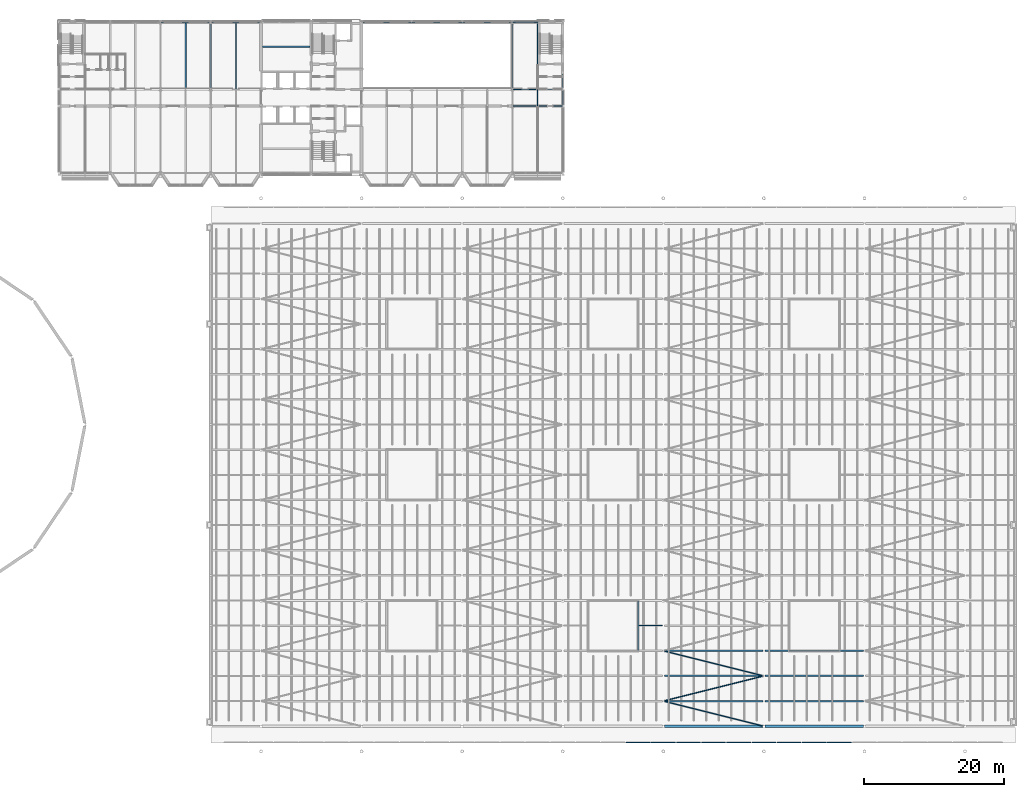
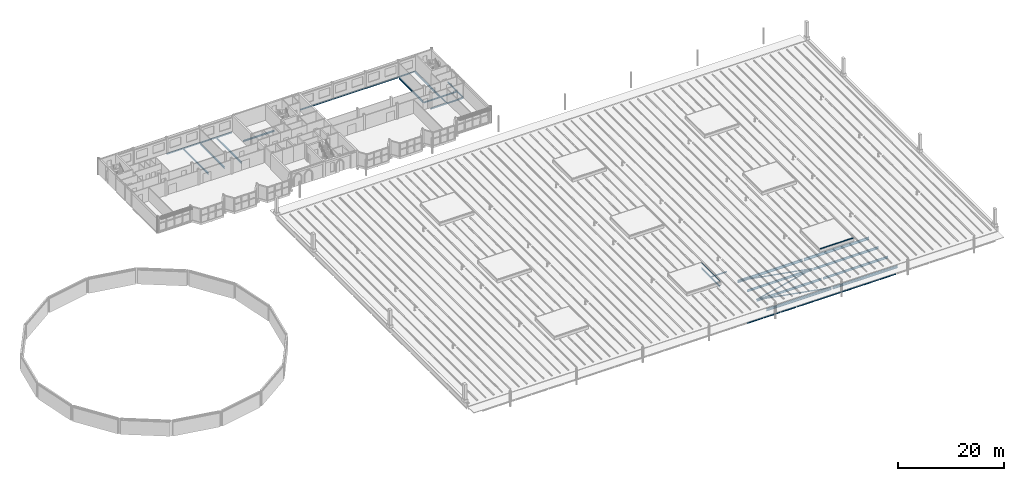
# One storey, part 39 of 120: 36 beams, 5 members.
"""IFC4 building model written with IfcOpenShell, lengths in metres."""

from ifc_helpers import new_model, si_unit, direction, frame, origin, origin_2d, place, context, subcontext, project, spatial, hollow_circle, i_section, extrude, material, material_profile, profile_set, type_object, element, save


model = new_model("IFC4")

# Units and contexts
model_context = context("Model", 3, precision=1e-05, world=origin(), true_north=direction((0.0, 1.0)))
body_context = subcontext(model_context, "Body", "Model", "MODEL_VIEW")
ifc_project = project(units=[si_unit("LENGTHUNIT", "METRE"), si_unit("AREAUNIT", "SQUARE_METRE"), si_unit("VOLUMEUNIT", "CUBIC_METRE"), si_unit("PLANEANGLEUNIT", "RADIAN"), si_unit("MASSUNIT", "GRAM", prefix="KILO")], contexts=[model_context])

# Site, building, storey
site_placement = place(None, origin())
site = spatial("IfcSite", under=ifc_project, at=site_placement, CompositionType="ELEMENT")
building_placement = place(site_placement, origin())
building = spatial("IfcBuilding", under=site, at=building_placement, Name="Kupolbacken Congress Centre", CompositionType="ELEMENT")
storey_placement = place(building_placement, frame((0.0, 0.0, 21.60009765625)))
storey = spatial("IfcBuildingStorey", under=building, at=storey_placement, Name="L06", CompositionType="ELEMENT", Elevation=21.60009765625)

# Beams
ifc_material_1 = material(Name="Steel S355", Category="steel")
ifc_material_profile_1 = material_profile(ifc_material_1, i_section(OverallWidth=0.10009765625, OverallDepth=0.199951171875, WebThickness=0.005615234375, FlangeThickness=0.008544921875, FilletRadius=0.011962890625, at=origin_2d()), Name="IPE 200")
ifc_profile_set_1 = profile_set([ifc_material_profile_1], Name="Steel S355")
beam_type_1 = type_object("IfcBeamType", Name="B01 beam IPE 200", PredefinedType="BEAM", material=ifc_profile_set_1)
beam_1_placement = place(storey_placement, frame((129.610595703125, 144.0, -0.239990234375), z_axis=(1.0, 0.0, 0.0), x_axis=(0.0, 1.0, 0.0)))
element("IfcBeam", 1, at=beam_1_placement, inside=storey, type_object=beam_type_1, Name="S/floor/T/L06/R032", PredefinedType="BEAM", context=body_context, shape_type="SweptSolid", body=[
    extrude(i_section(OverallWidth=0.10009765625, OverallDepth=0.199951171875, WebThickness=0.005615234375, FlangeThickness=0.008544921875, FilletRadius=0.011962890625, at=origin_2d()), origin(), (0.0, 0.0, 1.0), 3.639404296875),
])
beam_2_placement = place(storey_placement, frame((133.199951171875, 132.074951171875, -0.239990234375), z_axis=(0.0, 1.0, 0.0), x_axis=(-1.0, 0.0, 0.0)))
element("IfcBeam", 2, at=beam_2_placement, inside=storey, type_object=beam_type_1, Name="S/floor/T/L06/S071", PredefinedType="BEAM", context=body_context, shape_type="SweptSolid", body=[
    extrude(i_section(OverallWidth=0.10009765625, OverallDepth=0.199951171875, WebThickness=0.005615234375, FlangeThickness=0.008544921875, FilletRadius=0.011962890625, at=origin_2d()), origin(), (0.0, 0.0, 1.0), 2.25),
])
beam_3_placement = place(storey_placement, frame((136.800048828125, 132.22509765625, -0.239990234375), z_axis=(0.0, 1.0, 0.0), x_axis=(-1.0, 0.0, 0.0)))
element("IfcBeam", 3, at=beam_3_placement, inside=storey, type_object=beam_type_1, Name="S/floor/T/L06/S074", PredefinedType="BEAM", context=body_context, shape_type="SweptSolid", body=[
    extrude(i_section(OverallWidth=0.10009765625, OverallDepth=0.199951171875, WebThickness=0.005615234375, FlangeThickness=0.008544921875, FilletRadius=0.011962890625, at=origin_2d()), origin(), (0.0, 0.0, 1.0), 1.949951171875),
])
beam_4_placement = place(storey_placement, frame((136.800048828125, 134.625, -0.239990234375), z_axis=(0.0, 1.0, 0.0), x_axis=(-1.0, 0.0, 0.0)))
element("IfcBeam", 4, at=beam_4_placement, inside=storey, type_object=beam_type_1, Name="S/floor/T/L06/S075", PredefinedType="BEAM", context=body_context, shape_type="SweptSolid", body=[
    extrude(i_section(OverallWidth=0.10009765625, OverallDepth=0.199951171875, WebThickness=0.005615234375, FlangeThickness=0.008544921875, FilletRadius=0.011962890625, at=origin_2d()), origin(), (0.0, 0.0, 1.0), 3.22509765625),
])
beam_5_placement = place(storey_placement, frame((147.699951171875, 57.60009765625, -0.10009765625), z_axis=(1.0, 0.0, 0.0), x_axis=(0.0, 1.0, 0.0)))
element("IfcBeam", 5, at=beam_5_placement, inside=storey, type_object=beam_type_1, Name="HR/P04-04-1", PredefinedType="BEAM", context=body_context, shape_type="SweptSolid", body=[
    extrude(i_section(OverallWidth=0.10009765625, OverallDepth=0.199951171875, WebThickness=0.005615234375, FlangeThickness=0.008544921875, FilletRadius=0.011962890625, at=origin_2d()), origin(), (0.0, 0.0, 1.0), 3.35498046875),
])
beam_6_placement = place(storey_placement, frame((145.89990234375, 40.85009765625, 0.06982421875), z_axis=(1.0, 0.0, 0.0), x_axis=(0.0, 1.0, 0.0)))
element("IfcBeam", 6, at=beam_6_placement, inside=storey, type_object=beam_type_1, Name="S/edge/HE/S/17", PredefinedType="BEAM", context=body_context, shape_type="SweptSolid", body=[
    extrude(i_section(OverallWidth=0.10009765625, OverallDepth=0.199951171875, WebThickness=0.005615234375, FlangeThickness=0.008544921875, FilletRadius=0.011962890625, at=origin_2d()), origin(), (0.0, 0.0, 1.0), 3.400146484375),
])
for number, where, z_axis, x_axis, name in (
    (7, (149.5, 40.85009765625, 0.06982421875), (1.0, 0.0, 0.0), (0.0, 1.0, 0.0), "S/edge/HE/S/18"),
    (8, (153.10009765625, 40.85009765625, 0.06982421875), (1.0, 0.0, 0.0), (0.0, 1.0, 0.0), "S/edge/HE/S/19"),
):
    element("IfcBeam", number, at=place(storey_placement, frame(where, z_axis=z_axis, x_axis=x_axis)), inside=storey, type_object=beam_type_1, Name=name, PredefinedType="BEAM", context=body_context, shape_type="SweptSolid", body=[
        extrude(i_section(OverallWidth=0.10009765625, OverallDepth=0.199951171875, WebThickness=0.005615234375, FlangeThickness=0.008544921875, FilletRadius=0.011962890625, at=origin_2d()), origin(), (0.0, 0.0, 1.0), 3.39990234375),
    ])
beam_7_placement = place(storey_placement, frame((156.699951171875, 40.85009765625, 0.06982421875), z_axis=(1.0, 0.0, 0.0), x_axis=(0.0, 1.0, 0.0)))
element("IfcBeam", 9, at=beam_7_placement, inside=storey, type_object=beam_type_1, Name="S/edge/HE/S/20", PredefinedType="BEAM", context=body_context, shape_type="SweptSolid", body=[
    extrude(i_section(OverallWidth=0.10009765625, OverallDepth=0.199951171875, WebThickness=0.005615234375, FlangeThickness=0.008544921875, FilletRadius=0.011962890625, at=origin_2d()), origin(), (0.0, 0.0, 1.0), 3.400146484375),
])
beam_8_placement = place(storey_placement, frame((160.300048828125, 40.85009765625, 0.06982421875), z_axis=(1.0, 0.0, 0.0), x_axis=(0.0, 1.0, 0.0)))
element("IfcBeam", 10, at=beam_8_placement, inside=storey, type_object=beam_type_1, Name="S/edge/HE/S/21", PredefinedType="BEAM", context=body_context, shape_type="SweptSolid", body=[
    extrude(i_section(OverallWidth=0.10009765625, OverallDepth=0.199951171875, WebThickness=0.005615234375, FlangeThickness=0.008544921875, FilletRadius=0.011962890625, at=origin_2d()), origin(), (0.0, 0.0, 1.0), 3.39990234375),
])
beam_9_placement = place(storey_placement, frame((163.89990234375, 40.85009765625, 0.06982421875), z_axis=(1.0, 0.0, 0.0), x_axis=(0.0, 1.0, 0.0)))
element("IfcBeam", 11, at=beam_9_placement, inside=storey, type_object=beam_type_1, Name="S/edge/HE/S/22", PredefinedType="BEAM", context=body_context, shape_type="SweptSolid", body=[
    extrude(i_section(OverallWidth=0.10009765625, OverallDepth=0.199951171875, WebThickness=0.005615234375, FlangeThickness=0.008544921875, FilletRadius=0.011962890625, at=origin_2d()), origin(), (0.0, 0.0, 1.0), 3.400146484375),
])
for number, where, z_axis, x_axis, name in (
    (12, (167.5, 40.85009765625, 0.06982421875), (1.0, 0.0, 0.0), (0.0, 1.0, 0.0), "S/edge/HE/S/23"),
    (13, (171.10009765625, 40.85009765625, 0.06982421875), (1.0, 0.0, 0.0), (0.0, 1.0, 0.0), "S/edge/HE/S/24"),
):
    element("IfcBeam", number, at=place(storey_placement, frame(where, z_axis=z_axis, x_axis=x_axis)), inside=storey, type_object=beam_type_1, Name=name, PredefinedType="BEAM", context=body_context, shape_type="SweptSolid", body=[
        extrude(i_section(OverallWidth=0.10009765625, OverallDepth=0.199951171875, WebThickness=0.005615234375, FlangeThickness=0.008544921875, FilletRadius=0.011962890625, at=origin_2d()), origin(), (0.0, 0.0, 1.0), 3.39990234375),
    ])
beam_10_placement = place(storey_placement, frame((174.699951171875, 40.85009765625, 0.06982421875), z_axis=(1.0, 0.0, 0.0), x_axis=(0.0, 1.0, 0.0)))
element("IfcBeam", 14, at=beam_10_placement, inside=storey, type_object=beam_type_1, Name="S/edge/HE/S/25", PredefinedType="BEAM", context=body_context, shape_type="SweptSolid", body=[
    extrude(i_section(OverallWidth=0.10009765625, OverallDepth=0.199951171875, WebThickness=0.005615234375, FlangeThickness=0.008544921875, FilletRadius=0.011962890625, at=origin_2d()), origin(), (0.0, 0.0, 1.0), 3.400146484375),
])
ifc_material_2 = material(Name="Steel S355", Category="steel")
ifc_material_profile_2 = material_profile(ifc_material_2, i_section(OverallWidth=0.14990234375, OverallDepth=0.300048828125, WebThickness=0.007080078125, FlangeThickness=0.0107421875, FilletRadius=0.014892578125, at=origin_2d()), Name="IPE 300")
ifc_profile_set_2 = profile_set([ifc_material_profile_2], Name="Steel S355")
beam_type_2 = type_object("IfcBeamType", Name="B04 beam IPE 300", PredefinedType="BEAM", material=ifc_profile_set_2)
for number, where, z_axis, x_axis, name in (
    (15, (129.616455078125, 132.0, -0.2900390625), (1.0, 0.0, 0.0), (0.0, 1.0, 0.0), "S/floor/T/L06/R016"),
    (16, (129.616455078125, 134.39990234375, -0.2900390625), (1.0, 0.0, 0.0), (0.0, 1.0, 0.0), "S/floor/T/L06/R024"),
):
    element("IfcBeam", number, at=place(storey_placement, frame(where, z_axis=z_axis, x_axis=x_axis)), inside=storey, type_object=beam_type_2, Name=name, PredefinedType="BEAM", context=body_context, shape_type="SweptSolid", body=[
        extrude(i_section(OverallWidth=0.14990234375, OverallDepth=0.300048828125, WebThickness=0.007080078125, FlangeThickness=0.0107421875, FilletRadius=0.014892578125, at=origin_2d()), origin(), (0.0, 0.0, 1.0), 7.176513671875),
    ])
beam_11_placement = place(storey_placement, frame((79.21044921875, 144.0, -0.2900390625), z_axis=(1.0, 0.0, 0.0), x_axis=(0.0, 1.0, 0.0)))
element("IfcBeam", 17, at=beam_11_placement, inside=storey, type_object=beam_type_2, Name="S/floor/T/L06/R027", PredefinedType="BEAM", context=body_context, shape_type="SweptSolid", body=[
    extrude(i_section(OverallWidth=0.14990234375, OverallDepth=0.300048828125, WebThickness=0.007080078125, FlangeThickness=0.0107421875, FilletRadius=0.014892578125, at=origin_2d()), origin(), (0.0, 0.0, 1.0), 7.178955078125),
])
for number, where, z_axis, x_axis, name in (
    (18, (86.410400390625, 144.0, -0.2900390625), (1.0, 0.0, 0.0), (0.0, 1.0, 0.0), "S/floor/T/L06/R028"),
    (19, (108.199951171875, 144.0, -0.2900390625), (1.0, 0.0, 0.0), (0.0, 1.0, 0.0), "S/floor/T/L06/R029"),
):
    element("IfcBeam", number, at=place(storey_placement, frame(where, z_axis=z_axis, x_axis=x_axis)), inside=storey, type_object=beam_type_2, Name=name, PredefinedType="BEAM", context=body_context, shape_type="SweptSolid", body=[
        extrude(i_section(OverallWidth=0.14990234375, OverallDepth=0.300048828125, WebThickness=0.007080078125, FlangeThickness=0.0107421875, FilletRadius=0.014892578125, at=origin_2d()), origin(), (0.0, 0.0, 1.0), 6.989501953125),
    ])
beam_12_placement = place(storey_placement, frame((115.21044921875, 144.0, -0.2900390625), z_axis=(1.0, 0.0, 0.0), x_axis=(0.0, 1.0, 0.0)))
element("IfcBeam", 20, at=beam_12_placement, inside=storey, type_object=beam_type_2, Name="S/floor/T/L06/R030", PredefinedType="BEAM", context=body_context, shape_type="SweptSolid", body=[
    extrude(i_section(OverallWidth=0.14990234375, OverallDepth=0.300048828125, WebThickness=0.007080078125, FlangeThickness=0.0107421875, FilletRadius=0.014892578125, at=origin_2d()), origin(), (0.0, 0.0, 1.0), 7.178955078125),
])
beam_13_placement = place(storey_placement, frame((122.410400390625, 144.0, -0.2900390625), z_axis=(1.0, 0.0, 0.0), x_axis=(0.0, 1.0, 0.0)))
element("IfcBeam", 21, at=beam_13_placement, inside=storey, type_object=beam_type_2, Name="S/floor/T/L06/R031", PredefinedType="BEAM", context=body_context, shape_type="SweptSolid", body=[
    extrude(i_section(OverallWidth=0.14990234375, OverallDepth=0.300048828125, WebThickness=0.007080078125, FlangeThickness=0.0107421875, FilletRadius=0.014892578125, at=origin_2d()), origin(), (0.0, 0.0, 1.0), 7.17919921875),
])
ifc_material_3 = material(Name="Steel S355", Category="steel")
ifc_material_profile_3 = material_profile(ifc_material_3, i_section(OverallWidth=0.169921875, OverallDepth=0.360107421875, WebThickness=0.008056640625, FlangeThickness=0.0126953125, FilletRadius=0.01806640625, at=origin_2d()), Name="IPE 360")
ifc_profile_set_3 = profile_set([ifc_material_profile_3], Name="Steel S355")
beam_type_3 = type_object("IfcBeamType", Name="B06 beam IPE 360", PredefinedType="BEAM", material=ifc_profile_set_3)
beam_14_placement = place(storey_placement, frame((93.800048828125, 140.5, -0.320068359375), z_axis=(1.0, 0.0, 0.0), x_axis=(0.0, 1.0, 0.0)))
element("IfcBeam", 22, at=beam_14_placement, inside=storey, type_object=beam_type_3, Name="S/floor/T/L06/RB140", PredefinedType="BEAM", context=body_context, shape_type="SweptSolid", body=[
    extrude(i_section(OverallWidth=0.169921875, OverallDepth=0.360107421875, WebThickness=0.008056640625, FlangeThickness=0.0126953125, FilletRadius=0.01806640625, at=origin_2d()), origin(), (0.0, 0.0, 1.0), 6.824951171875),
])
ifc_material_4 = material(Name="Steel S355", Category="steel")
ifc_material_profile_4 = material_profile(ifc_material_4, i_section(OverallWidth=0.179931640625, OverallDepth=0.39990234375, WebThickness=0.008544921875, FlangeThickness=0.013427734375, FilletRadius=0.02099609375, at=origin_2d()), Name="IPE 400")
ifc_profile_set_4 = profile_set([ifc_material_profile_4], Name="Steel S355")
beam_type_4 = type_object("IfcBeamType", Name="B07 beam IPE 400", PredefinedType="BEAM", material=ifc_profile_set_4)
beam_15_placement = place(storey_placement, frame((82.800048828125, 134.47509765625, -0.340087890625), z_axis=(0.0, 1.0, 0.0), x_axis=(-1.0, 0.0, 0.0)))
element("IfcBeam", 23, at=beam_15_placement, inside=storey, type_object=beam_type_4, Name="S/floor/T/L06/S050", PredefinedType="BEAM", context=body_context, shape_type="SweptSolid", body=[
    extrude(i_section(OverallWidth=0.179931640625, OverallDepth=0.39990234375, WebThickness=0.008544921875, FlangeThickness=0.013427734375, FilletRadius=0.02099609375, at=origin_2d()), origin(), (0.0, 0.0, 1.0), 9.449951171875),
])
beam_16_placement = place(storey_placement, frame((86.39990234375, 134.612548828125, -0.340087890625), z_axis=(0.0, 1.0, 0.0), x_axis=(-1.0, 0.0, 0.0)))
element("IfcBeam", 24, at=beam_16_placement, inside=storey, type_object=beam_type_4, Name="S/floor/T/L06/S053", PredefinedType="BEAM", context=body_context, shape_type="SweptSolid", body=[
    extrude(i_section(OverallWidth=0.179931640625, OverallDepth=0.39990234375, WebThickness=0.008544921875, FlangeThickness=0.013427734375, FilletRadius=0.02099609375, at=origin_2d()), origin(), (0.0, 0.0, 1.0), 9.17138671875),
])
beam_17_placement = place(storey_placement, frame((90.0, 134.47509765625, -0.340087890625), z_axis=(0.0, 1.0, 0.0), x_axis=(-1.0, 0.0, 0.0)))
element("IfcBeam", 25, at=beam_17_placement, inside=storey, type_object=beam_type_4, Name="S/floor/T/L06/S056", PredefinedType="BEAM", context=body_context, shape_type="SweptSolid", body=[
    extrude(i_section(OverallWidth=0.179931640625, OverallDepth=0.39990234375, WebThickness=0.008544921875, FlangeThickness=0.013427734375, FilletRadius=0.02099609375, at=origin_2d()), origin(), (0.0, 0.0, 1.0), 9.449951171875),
])
beam_18_placement = place(storey_placement, frame((129.60009765625, 134.612548828125, -0.340087890625), z_axis=(0.0, 1.0, 0.0), x_axis=(-1.0, 0.0, 0.0)))
element("IfcBeam", 26, at=beam_18_placement, inside=storey, type_object=beam_type_4, Name="S/floor/T/L06/S069", PredefinedType="BEAM", context=body_context, shape_type="SweptSolid", body=[
    extrude(i_section(OverallWidth=0.179931640625, OverallDepth=0.39990234375, WebThickness=0.008544921875, FlangeThickness=0.013427734375, FilletRadius=0.02099609375, at=origin_2d()), origin(), (0.0, 0.0, 1.0), 9.17138671875),
])
beam_19_placement = place(storey_placement, frame((133.199951171875, 134.47509765625, -0.340087890625), z_axis=(0.0, 1.0, 0.0), x_axis=(-1.0, 0.0, 0.0)))
element("IfcBeam", 27, at=beam_19_placement, inside=storey, type_object=beam_type_4, Name="S/floor/T/L06/S072", PredefinedType="BEAM", context=body_context, shape_type="SweptSolid", body=[
    extrude(i_section(OverallWidth=0.179931640625, OverallDepth=0.39990234375, WebThickness=0.008544921875, FlangeThickness=0.013427734375, FilletRadius=0.02099609375, at=origin_2d()), origin(), (0.0, 0.0, 1.0), 9.474853515625),
])
beam_20_placement = place(storey_placement, frame((147.60009765625, 54.10009765625, -0.2001953125), z_axis=(0.0, 1.0, 0.0), x_axis=(-1.0, 0.0, 0.0)))
element("IfcBeam", 28, at=beam_20_placement, inside=storey, type_object=beam_type_4, Name="HR/CT4E", PredefinedType="BEAM", context=body_context, shape_type="SweptSolid", body=[
    extrude(i_section(OverallWidth=0.179931640625, OverallDepth=0.39990234375, WebThickness=0.008544921875, FlangeThickness=0.013427734375, FilletRadius=0.02099609375, at=origin_2d()), origin(), (0.0, 0.0, 1.0), 7.0),
])
ifc_material_5 = material(Name="Steel S355", Category="steel")
ifc_material_profile_5 = material_profile(ifc_material_5, i_section(OverallWidth=0.199951171875, OverallDepth=0.5, WebThickness=0.01025390625, FlangeThickness=0.01611328125, FilletRadius=0.02099609375, at=origin_2d()), Name="IPE 500")
ifc_profile_set_5 = profile_set([ifc_material_profile_5], Name="Steel S355")
beam_type_5 = type_object("IfcBeamType", Name="B09 beam IPE 500", PredefinedType="BEAM", material=ifc_profile_set_5)
beam_21_placement = place(storey_placement, frame((151.344970703125, 46.800048828125, -0.25), z_axis=(1.0, 0.0, 0.0), x_axis=(0.0, 1.0, 0.0)))
element("IfcBeam", 29, at=beam_21_placement, inside=storey, type_object=beam_type_5, Name="HR/P01-05", PredefinedType="BEAM", context=body_context, shape_type="SweptSolid", body=[
    extrude(i_section(OverallWidth=0.199951171875, OverallDepth=0.5, WebThickness=0.01025390625, FlangeThickness=0.01611328125, FilletRadius=0.02099609375, at=origin_2d()), origin(), (0.0, 0.0, 1.0), 14.110107421875),
])
beam_22_placement = place(storey_placement, frame((165.7451171875, 46.800048828125, -0.25), z_axis=(1.0, 0.0, 0.0), x_axis=(0.0, 1.0, 0.0)))
element("IfcBeam", 30, at=beam_22_placement, inside=storey, type_object=beam_type_5, Name="HR/P01-06", PredefinedType="BEAM", context=body_context, shape_type="SweptSolid", body=[
    extrude(i_section(OverallWidth=0.199951171875, OverallDepth=0.5, WebThickness=0.01025390625, FlangeThickness=0.01611328125, FilletRadius=0.02099609375, at=origin_2d()), origin(), (0.0, 0.0, 1.0), 14.10986328125),
])
beam_23_placement = place(storey_placement, frame((151.344970703125, 50.39990234375, -0.25), z_axis=(1.0, 0.0, 0.0), x_axis=(0.0, 1.0, 0.0)))
element("IfcBeam", 31, at=beam_23_placement, inside=storey, type_object=beam_type_5, Name="HR/P02-05", PredefinedType="BEAM", context=body_context, shape_type="SweptSolid", body=[
    extrude(i_section(OverallWidth=0.199951171875, OverallDepth=0.5, WebThickness=0.01025390625, FlangeThickness=0.01611328125, FilletRadius=0.02099609375, at=origin_2d()), origin(), (0.0, 0.0, 1.0), 14.110107421875),
])
beam_24_placement = place(storey_placement, frame((165.7451171875, 50.39990234375, -0.25), z_axis=(1.0, 0.0, 0.0), x_axis=(0.0, 1.0, 0.0)))
element("IfcBeam", 32, at=beam_24_placement, inside=storey, type_object=beam_type_5, Name="HR/P02-06", PredefinedType="BEAM", context=body_context, shape_type="SweptSolid", body=[
    extrude(i_section(OverallWidth=0.199951171875, OverallDepth=0.5, WebThickness=0.01025390625, FlangeThickness=0.01611328125, FilletRadius=0.02099609375, at=origin_2d()), origin(), (0.0, 0.0, 1.0), 14.10986328125),
])
ifc_material_6 = material(Name="Steel S355", Category="steel")
ifc_material_profile_6 = material_profile(ifc_material_6, i_section(OverallWidth=0.219970703125, OverallDepth=0.60009765625, WebThickness=0.011962890625, FlangeThickness=0.01904296875, FilletRadius=0.02392578125, at=origin_2d()), Name="IPE 600")
ifc_profile_set_6 = profile_set([ifc_material_profile_6], Name="Steel S355")
beam_type_6 = type_object("IfcBeamType", Name="B11 beam IPE 600", PredefinedType="BEAM", material=ifc_profile_set_6)
beam_25_placement = place(storey_placement, frame((151.344970703125, 54.0, -0.300048828125), z_axis=(1.0, 0.0, 0.0), x_axis=(0.0, 1.0, 0.0)))
element("IfcBeam", 33, at=beam_25_placement, inside=storey, type_object=beam_type_6, Name="HR/X03-05", PredefinedType="BEAM", context=body_context, shape_type="SweptSolid", body=[
    extrude(i_section(OverallWidth=0.219970703125, OverallDepth=0.60009765625, WebThickness=0.011962890625, FlangeThickness=0.01904296875, FilletRadius=0.02392578125, at=origin_2d()), origin(), (0.0, 0.0, 1.0), 14.110107421875),
])
beam_26_placement = place(storey_placement, frame((165.7451171875, 54.0, -0.300048828125), z_axis=(1.0, 0.0, 0.0), x_axis=(0.0, 1.0, 0.0)))
element("IfcBeam", 34, at=beam_26_placement, inside=storey, type_object=beam_type_6, Name="HR/X03-06", PredefinedType="BEAM", context=body_context, shape_type="SweptSolid", body=[
    extrude(i_section(OverallWidth=0.219970703125, OverallDepth=0.60009765625, WebThickness=0.011962890625, FlangeThickness=0.01904296875, FilletRadius=0.02392578125, at=origin_2d()), origin(), (0.0, 0.0, 1.0), 14.10986328125),
])
ifc_material_7 = material(Name="Steel S355", Category="steel")
ifc_material_profile_7 = material_profile(ifc_material_7, i_section(OverallWidth=0.300048828125, OverallDepth=0.5, WebThickness=0.014404296875, FlangeThickness=0.028076171875, FilletRadius=0.027099609375, at=origin_2d()), Name="HEB 500")
ifc_profile_set_7 = profile_set([ifc_material_profile_7], Name="Steel S355")
beam_type_7 = type_object("IfcBeamType", Name="B20 beam HEB 500", PredefinedType="BEAM", material=ifc_profile_set_7)
beam_27_placement = place(storey_placement, frame((151.344970703125, 43.199951171875, -0.25), z_axis=(1.0, 0.0, 0.0), x_axis=(0.0, 1.0, 0.0)))
element("IfcBeam", 35, at=beam_27_placement, inside=storey, type_object=beam_type_7, Name="HR/E00-05", PredefinedType="BEAM", context=body_context, shape_type="SweptSolid", body=[
    extrude(i_section(OverallWidth=0.300048828125, OverallDepth=0.5, WebThickness=0.014404296875, FlangeThickness=0.028076171875, FilletRadius=0.027099609375, at=origin_2d()), origin(), (0.0, 0.0, 1.0), 14.110107421875),
])
beam_28_placement = place(storey_placement, frame((165.7451171875, 43.199951171875, -0.25), z_axis=(1.0, 0.0, 0.0), x_axis=(0.0, 1.0, 0.0)))
element("IfcBeam", 36, at=beam_28_placement, inside=storey, type_object=beam_type_7, Name="HR/E00-06", PredefinedType="BEAM", context=body_context, shape_type="SweptSolid", body=[
    extrude(i_section(OverallWidth=0.300048828125, OverallDepth=0.5, WebThickness=0.014404296875, FlangeThickness=0.028076171875, FilletRadius=0.027099609375, at=origin_2d()), origin(), (0.0, 0.0, 1.0), 14.10986328125),
])

# Members
ifc_material_8 = material(Name="Steel S355", Category="steel")
ifc_material_profile_8 = material_profile(ifc_material_8, hollow_circle(Radius=0.084228515625, WallThickness=0.008056640625, at=origin_2d()), Name="CHS 168.3 x 8")
ifc_profile_set_8 = profile_set([ifc_material_profile_8], Name="Steel S355")
member_type = type_object("IfcMemberType", Name="M21 brace CHS 168.3 x 8", PredefinedType="BRACE", material=ifc_profile_set_8)
for number, where, z_axis, x_axis, name in (
    (37, (165.459228515625, 43.235107421875, -0.084228515625), (-0.970140526498, 0.24254351949, 0.0), (-0.24254351949, -0.970140526498, 0.0), "HR/RB/05-00"),
    (38, (151.340576171875, 46.835205078125, -0.084228515625), (0.970144473737, 0.242527730535, 0.0), (-0.242527730535, 0.970144473737, 0.0), "HR/RB/05-01"),
    (39, (165.459228515625, 50.43505859375, -0.084228515625), (-0.970140526498, 0.24254351949, 0.0), (-0.24254351949, -0.970140526498, 0.0), "HR/RB/05-02"),
):
    element("IfcMember", number, at=place(storey_placement, frame(where, z_axis=z_axis, x_axis=x_axis)), inside=storey, type_object=member_type, Name=name, PredefinedType="BRACE", context=body_context, shape_type="SweptSolid", body=[
        extrude(hollow_circle(Radius=0.084228515625, WallThickness=0.008056640625, at=origin_2d()), origin(), (0.0, 0.0, 1.0), 14.55322265625),
    ])
member_1_placement = place(storey_placement, frame((147.60009765625, 54.07421875, 0.944091796875), z_axis=(0.0, 1.0, 0.0), x_axis=(-1.0, 0.0, 0.0)))
element("IfcMember", 40, at=member_1_placement, inside=storey, type_object=member_type, Name="RD/RL4/FE", PredefinedType="BRACE", context=body_context, shape_type="SweptSolid", body=[
    extrude(hollow_circle(Radius=0.084228515625, WallThickness=0.008056640625, at=origin_2d()), origin(), (0.0, 0.0, 1.0), 7.051513671875),
])
member_2_placement = place(storey_placement, frame((169.199951171875, 54.0, 0.944091796875), z_axis=(1.0, 0.0, 0.0), x_axis=(0.0, 1.0, 0.0)))
element("IfcMember", 41, at=member_2_placement, inside=storey, type_object=member_type, Name="RD/RL7/FS", PredefinedType="BRACE", context=body_context, shape_type="SweptSolid", body=[
    extrude(hollow_circle(Radius=0.084228515625, WallThickness=0.008056640625, at=origin_2d()), origin(), (0.0, 0.0, 1.0), 7.199951171875),
])

save(model, "model.ifc")
